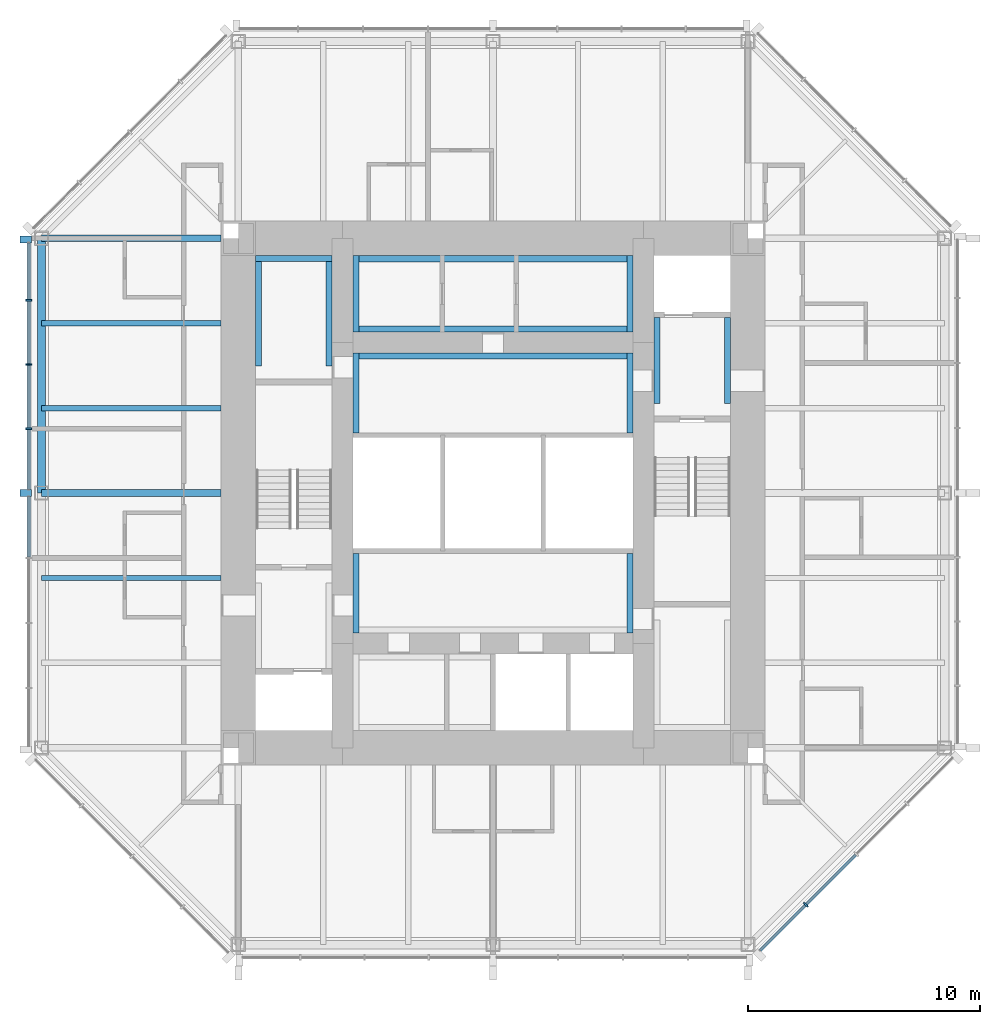
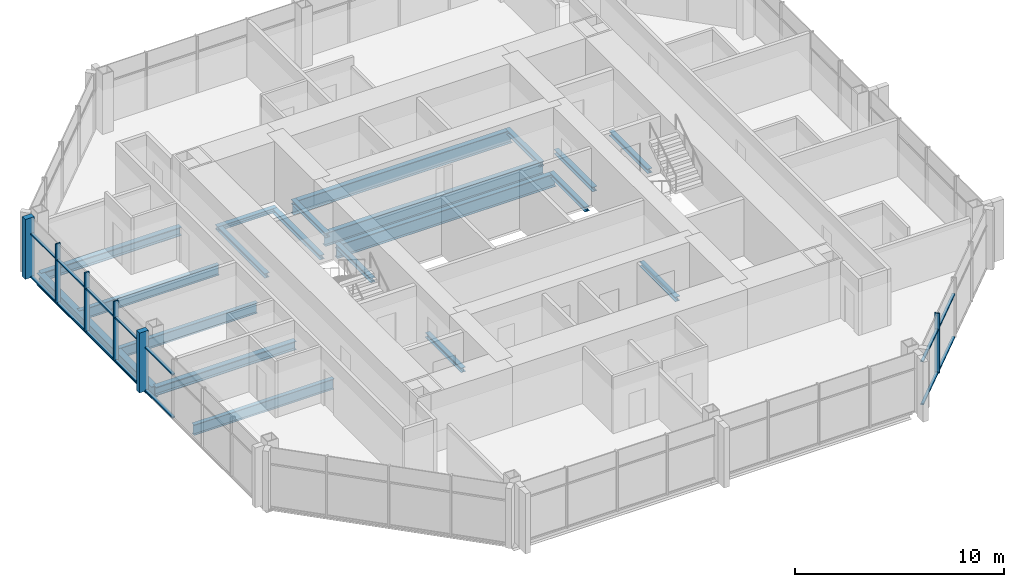
# One storey, part 3 of 11: 20 beams, 20 members, 2 elements without a shape of their own.
"""IFC4 building model written with IfcOpenShell, lengths in metres."""

import ifcopenshell
import ifcopenshell.guid

model = None  # the IFC model being written
_history = None  # IfcOwnerHistory: only IFC2X3 demands one
_inside = {}  # id of a spatial element -> (the spatial element, [elements in it])
_under = {}  # id of a project, library or spatial element -> (it, [spatial elements below it])
_declared = {}  # id of a project -> (the project, [libraries it declares])
_typed = {}  # id of a type object -> (the type object, [elements of that type])
_made_of = {}  # id of a material, layer set ... -> (it, [elements and type objects made of it])


def new_model(schema):
    """Start an empty IFC model of exactly this schema.

    Asked for "IFC4X3", IfcOpenShell would pick the latest addendum, in which some entities
    have other attributes; the version numbers below select the first issue.
    IFC2X3 requires an IfcOwnerHistory on every rooted entity: one is made here for all.
    """
    global model, _history
    if schema == "IFC4X3":
        model = ifcopenshell.file(schema_version=(4, 3, 0, 0))
    else:
        model = ifcopenshell.file(schema=schema)
    _inside.clear()
    _under.clear()
    _declared.clear()
    _typed.clear()
    _made_of.clear()
    _history = None
    if model.schema == "IFC2X3":
        org = make("IfcOrganization", Name="unknown")
        user = make(
            "IfcPersonAndOrganization",
            ThePerson=make("IfcPerson", FamilyName="unknown"),
            TheOrganization=org,
        )
        app = make(
            "IfcApplication",
            ApplicationDeveloper=org,
            Version="unknown",
            ApplicationFullName="unknown",
            ApplicationIdentifier="unknown",
        )
        _history = make(
            "IfcOwnerHistory",
            OwningUser=user,
            OwningApplication=app,
            ChangeAction="ADDED",
            CreationDate=0,
        )
    return model


def make(cls, **values):
    """One entity of the class cls with the attributes given. An attribute that is None is left unset."""
    return model.create_entity(
        cls, **{name: value for name, value in values.items() if value is not None}
    )


def rooted(cls, **values):
    """An entity with a GlobalId (a new one), such as an element, a storey or a relation."""
    return make(cls, GlobalId=ifcopenshell.guid.new(), OwnerHistory=_history, **values)


def si_unit(unit_type, name, prefix=None):
    """IfcSIUnit, for example si_unit("LENGTHUNIT", "METRE", prefix="MILLI")."""
    return make("IfcSIUnit", UnitType=unit_type, Prefix=prefix, Name=name)


def assignment(units):
    """IfcUnitAssignment: the units of a project."""
    return None if units is None else make("IfcUnitAssignment", Units=units)


def point(xyz):
    """IfcCartesianPoint."""
    return None if xyz is None else make("IfcCartesianPoint", Coordinates=xyz)


def direction(xyz):
    """IfcDirection."""
    return None if xyz is None else make("IfcDirection", DirectionRatios=xyz)


def frame(location, z_axis=None, x_axis=None):
    """IfcAxis2Placement3D, a coordinate frame: its origin and axes. An axis left out is left unset."""
    return make(
        "IfcAxis2Placement3D",
        Location=point(location),
        Axis=direction(z_axis),
        RefDirection=direction(x_axis),
    )


def frame_2d(location, x_axis=None):
    """IfcAxis2Placement2D, a coordinate frame in the plane: its origin and x axis."""
    return make(
        "IfcAxis2Placement2D", Location=point(location), RefDirection=direction(x_axis)
    )


def origin():
    """The frame at (0, 0, 0) with its axes left unset."""
    return frame((0.0, 0.0, 0.0))


def origin_2d():
    """The frame at (0, 0) in the plane with its x axis left unset."""
    return frame_2d((0.0, 0.0))


def place(relative_to, where):
    """IfcLocalPlacement: puts the frame where relative to a parent placement (None: the world)."""
    return make(
        "IfcLocalPlacement", PlacementRelTo=relative_to, RelativePlacement=where
    )


def context(
    kind, dimensions, precision=None, world=None, true_north=None, identifier=None
):
    """IfcGeometricRepresentationContext, for example the 3D "Model" context."""
    return make(
        "IfcGeometricRepresentationContext",
        ContextIdentifier=identifier,
        ContextType=kind,
        CoordinateSpaceDimension=dimensions,
        Precision=precision,
        WorldCoordinateSystem=world,
        TrueNorth=true_north,
    )


def subcontext(parent, identifier, kind, view, scale=None):
    """IfcGeometricRepresentationSubContext, for example "Body" below "Model"."""
    return make(
        "IfcGeometricRepresentationSubContext",
        ContextIdentifier=identifier,
        ContextType=kind,
        ParentContext=parent,
        TargetScale=scale,
        TargetView=view,
    )


def project(units=None, contexts=None):
    """IfcProject with its units and contexts."""
    return rooted(
        "IfcProject",
        Name="project",
        RepresentationContexts=contexts,
        UnitsInContext=assignment(units),
    )


def spatial(cls, under=None, at=None, **own):
    """A site, building, storey or space (cls), placed at a placement, below another one or the project."""
    s = rooted(cls, ObjectPlacement=at, **own)
    if under is not None:
        _under.setdefault(under.id(), (under, []))[1].append(s)
    return s


def profile(cls, at=None, kind="AREA", **sizes):
    """A parametric profile (cls). Its sizes go by their IFC names, for example OverallWidth=200.0."""
    return make(cls, ProfileType=kind, Position=at, **sizes)


def rectangle(**sizes):
    """IfcRectangleProfileDef."""
    return profile("IfcRectangleProfileDef", **sizes)


def i_section(**sizes):
    """IfcIShapeProfileDef."""
    return profile("IfcIShapeProfileDef", **sizes)


def extrude(swept, where, along, depth):
    """IfcExtrudedAreaSolid: the profile swept, set in the frame where, extruded along a direction by depth."""
    return make(
        "IfcExtrudedAreaSolid",
        SweptArea=swept,
        Position=where,
        ExtrudedDirection=direction(along),
        Depth=depth,
    )


def shape(context_of_items, identifier, shape_type, items):
    """IfcShapeRepresentation: the items that make up one representation, for example the "Body"."""
    return make(
        "IfcShapeRepresentation",
        ContextOfItems=context_of_items,
        RepresentationIdentifier=identifier,
        RepresentationType=shape_type,
        Items=items,
    )


def material(Name=None, Category=None):
    """IfcMaterial."""
    return make("IfcMaterial", Name=Name, Category=Category)


def material_profile(
    of_material, cross_section, Name=None, Category=None, Priority=None
):
    """IfcMaterialProfile: a cross section and its material."""
    return make(
        "IfcMaterialProfile",
        Name=Name,
        Material=of_material,
        Profile=cross_section,
        Priority=Priority,
        Category=Category,
    )


def profile_set(profiles, Name=None, composite=None):
    """IfcMaterialProfileSet."""
    return make(
        "IfcMaterialProfileSet",
        Name=Name,
        MaterialProfiles=profiles,
        CompositeProfile=composite,
    )


def made_of(thing, what):
    """Note that an element or type object is made of a material, layer set ...; save() writes the relation."""
    if what is not None:
        _made_of.setdefault(what.id(), (what, []))[1].append(thing)
    return thing


def type_object(cls, material=None, **own):
    """A type object (cls), such as IfcWallType, which elements share."""
    return made_of(rooted(cls, **own), material)


def element(
    cls,
    number,
    at=None,
    inside=None,
    cuts=None,
    type_object=None,
    material=None,
    context=None,
    identifier="Body",
    shape_type=None,
    held_by="IfcProductDefinitionShape",
    body=None,
    shapes=None,
    **own,
):
    """One element of the class cls, such as IfcWall. Its Tag is "e" and its number.

    at: its placement. inside: the storey or other place that contains it. cuts: it is an
    opening in that element (IfcRelVoidsElement). A single representation is given by context,
    identifier, shape_type and body (its items); several are given by shapes. held_by: the class
    of the entity that holds the representations. save() writes the other relations.
    """
    e = rooted(cls, Tag="e%d" % number, ObjectPlacement=at, **own)
    if body is not None:
        shapes = [shape(context, identifier, shape_type, body)]
    if shapes is not None:
        e.Representation = make(held_by, Representations=shapes)
    if inside is not None:
        _inside.setdefault(inside.id(), (inside, []))[1].append(e)
    if cuts is not None:
        rooted(
            "IfcRelVoidsElement", RelatingBuildingElement=cuts, RelatedOpeningElement=e
        )
    if type_object is not None:
        _typed.setdefault(type_object.id(), (type_object, []))[1].append(e)
    return made_of(e, material)


def aggregate(whole, parts):
    """IfcRelAggregates: a whole, such as a stair, and the parts it consists of."""
    return rooted("IfcRelAggregates", RelatingObject=whole, RelatedObjects=parts)


def save(model, path):
    """Write the relations noted so far, then the file.

    IfcRelAggregates (storeys below a building ...), IfcRelContainedInSpatialStructure (elements
    in a storey), IfcRelDefinesByType, IfcRelAssociatesMaterial and IfcRelDeclares: one each for
    every whole, place, type object, material and project.
    """
    for whole, parts in _under.values():
        aggregate(whole, parts)
    for where, things in _inside.values():
        rooted(
            "IfcRelContainedInSpatialStructure",
            RelatedElements=things,
            RelatingStructure=where,
        )
    for kind, things in _typed.values():
        rooted("IfcRelDefinesByType", RelatedObjects=things, RelatingType=kind)
    for what, things in _made_of.values():
        rooted("IfcRelAssociatesMaterial", RelatedObjects=things, RelatingMaterial=what)
    for by, libraries in _declared.values():
        rooted("IfcRelDeclares", RelatingContext=by, RelatedDefinitions=libraries)
    model.write(path)


model = new_model("IFC4")

# Units and contexts
model_context = context("Model", 3, precision=1e-05, world=origin(), true_north=direction((0.0, 1.0)))
body_context = subcontext(model_context, "Body", "Model", "MODEL_VIEW")
ifc_project = project(units=[si_unit("LENGTHUNIT", "METRE"), si_unit("AREAUNIT", "SQUARE_METRE"), si_unit("VOLUMEUNIT", "CUBIC_METRE"), si_unit("PLANEANGLEUNIT", "RADIAN"), si_unit("MASSUNIT", "GRAM", prefix="KILO")], contexts=[model_context])

# Site, building, storey
site_placement = place(None, origin())
site = spatial("IfcSite", under=ifc_project, at=site_placement, CompositionType="ELEMENT")
building_placement = place(site_placement, origin())
building = spatial("IfcBuilding", under=site, at=building_placement, Name="Trevanion Tower", CompositionType="ELEMENT")
storey_placement = place(building_placement, frame((0.0, 0.0, 236.199951171875)))
storey = spatial("IfcBuildingStorey", under=building, at=storey_placement, Name="L57", CompositionType="ELEMENT", Elevation=236.199951171875)

# Beams
ifc_material_1 = material(Name="Steel ASTM A992 Grade 50", Category="steel")
ifc_material_profile_1 = material_profile(ifc_material_1, i_section(OverallWidth=0.228271484375, OverallDepth=0.607177734375, WebThickness=0.01123046875, FlangeThickness=0.017333984375, at=origin_2d()), Name="W24X76")
ifc_profile_set_1 = profile_set([ifc_material_profile_1], Name="Steel ASTM A992 Grade 50")
beam_type_1 = type_object("IfcBeamType", Name="B11 W24X76", PredefinedType="BEAM", material=ifc_profile_set_1)
for number, where, z_axis, x_axis, name in (
    (1, (-11.75, 7.333251953125, -0.493408203125), (-1.0, 0.0, 0.0), (0.0, -1.0, 0.0), "B11 L57"),
    (2, (-11.75, 3.666748046875, -0.493408203125), (-1.0, 0.0, 0.0), (0.0, -1.0, 0.0), "B11 L57"),
    (3, (-11.75, -3.666748046875, -0.493408203125), (-1.0, 0.0, 0.0), (0.0, -1.0, 0.0), "B11 L57"),
):
    element("IfcBeam", number, at=place(storey_placement, frame(where, z_axis=z_axis, x_axis=x_axis)), inside=storey, type_object=beam_type_1, Name=name, PredefinedType="BEAM", context=body_context, shape_type="SweptSolid", body=[
        extrude(i_section(OverallWidth=0.228271484375, OverallDepth=0.607177734375, WebThickness=0.01123046875, FlangeThickness=0.017333984375, at=origin_2d()), origin(), (0.0, 0.0, 1.0), 7.75),
    ])

# Curtain wall, members
ifc_material_2 = material(Name="Aluminium and glass", Category="aluminium")
curtain_wall_type = type_object("IfcCurtainWallType", Name="CW3 curtain wall", PredefinedType="USERDEFINED", material=ifc_material_2)
curtain_wall_1_placement = place(storey_placement, origin())
curtain_wall_1 = element("IfcCurtainWall", 4, at=curtain_wall_1_placement, inside=storey, type_object=curtain_wall_type, Name="CW3 L57 4", ObjectType="UNITISED CURTAIN WALL", PredefinedType="USERDEFINED")
ifc_material_3 = material(Name="Aluminium extrusion, anodised bronze", Category="aluminium")
ifc_material_profile_2 = material_profile(ifc_material_3, rectangle(XDim=0.074951171875, YDim=0.25, at=origin_2d()), Name="CW3 mullion")
ifc_profile_set_2 = profile_set([ifc_material_profile_2], Name="Aluminium extrusion, anodised bronze")
member_type_1 = type_object("IfcMemberType", Name="CW3 mullion", PredefinedType="MULLION", material=ifc_profile_set_2)
member_1_placement = place(storey_placement, frame((-20.050048828125, 8.323486328125, -0.18994140625), z_axis=(0.0, 0.0, 1.0), x_axis=(0.0, -1.0, 0.0)))
member_1 = element("IfcMember", 5, at=member_1_placement, type_object=member_type_1, Name="CW3 mullion 2", PredefinedType="MULLION", context=body_context, shape_type="SweptSolid", body=[
    extrude(rectangle(XDim=0.074951171875, YDim=0.25, at=origin_2d()), origin(), (0.0, 0.0, 1.0), 3.5),
])
member_2_placement = place(storey_placement, frame((-20.050048828125, 5.548828125, -0.18994140625), z_axis=(0.0, 0.0, 1.0), x_axis=(0.0, -1.0, 0.0)))
member_2 = element("IfcMember", 6, at=member_2_placement, type_object=member_type_1, Name="CW3 mullion 3", PredefinedType="MULLION", context=body_context, shape_type="SweptSolid", body=[
    extrude(rectangle(XDim=0.074951171875, YDim=0.25, at=origin_2d()), origin(), (0.0, 0.0, 1.0), 3.5),
])
member_3_placement = place(storey_placement, frame((-20.050048828125, 2.7744140625, -0.18994140625), z_axis=(0.0, 0.0, 1.0), x_axis=(0.0, -1.0, 0.0)))
member_3 = element("IfcMember", 7, at=member_3_placement, type_object=member_type_1, Name="CW3 mullion 4", PredefinedType="MULLION", context=body_context, shape_type="SweptSolid", body=[
    extrude(rectangle(XDim=0.074951171875, YDim=0.25, at=origin_2d()), origin(), (0.0, 0.0, 1.0), 3.5),
])

# Curtain wall, member
curtain_wall_2_placement = place(storey_placement, origin())
curtain_wall_2 = element("IfcCurtainWall", 8, at=curtain_wall_2_placement, inside=storey, type_object=curtain_wall_type, Name="CW3 L57 7", ObjectType="UNITISED CURTAIN WALL", PredefinedType="USERDEFINED")
member_4_placement = place(storey_placement, frame((13.502197265625, -17.775390625, -0.18994140625), z_axis=(0.0, 0.0, 1.0), x_axis=(0.707106781187, 0.707106781187, 0.0)))
member_4 = element("IfcMember", 9, at=member_4_placement, type_object=member_type_1, Name="CW3 mullion 2", PredefinedType="MULLION", context=body_context, shape_type="SweptSolid", body=[
    extrude(rectangle(XDim=0.074951171875, YDim=0.25, at=origin_2d()), origin(), (0.0, 0.0, 1.0), 3.5),
])

# Member
ifc_material_4 = material(Name="Aluminium extrusion, anodised bronze", Category="aluminium")
ifc_material_profile_3 = material_profile(ifc_material_4, rectangle(XDim=0.300048828125, YDim=0.5, at=origin_2d()), Name="CW3 pier mullion")
ifc_profile_set_3 = profile_set([ifc_material_profile_3], Name="Aluminium extrusion, anodised bronze")
member_type_2 = type_object("IfcMemberType", Name="CW3 pier mullion", PredefinedType="MULLION", material=ifc_profile_set_3)
member_5_placement = place(storey_placement, frame((-20.175048828125, 10.94775390625, -0.18994140625), z_axis=(0.0, 0.0, 1.0), x_axis=(0.0, -1.0, 0.0)))
member_5 = element("IfcMember", 10, at=member_5_placement, type_object=member_type_2, Name="CW3 pier mullion 1", PredefinedType="MULLION", context=body_context, shape_type="SweptSolid", body=[
    extrude(rectangle(XDim=0.300048828125, YDim=0.5, at=origin_2d()), origin(), (0.0, 0.0, 1.0), 3.5),
])

member_6_placement = place(storey_placement, frame((-20.175048828125, 0.0, -0.18994140625), z_axis=(0.0, 0.0, 1.0), x_axis=(0.0, -1.0, 0.0)))
member_6 = element("IfcMember", 11, at=member_6_placement, type_object=member_type_2, Name="CW3 pier mullion 5", PredefinedType="MULLION", context=body_context, shape_type="SweptSolid", body=[
    extrude(rectangle(XDim=0.300048828125, YDim=0.5, at=origin_2d()), origin(), (0.0, 0.0, 1.0), 3.5),
])

ifc_material_5 = material(Name="Aluminium extrusion, anodised bronze", Category="aluminium")
ifc_material_profile_4 = material_profile(ifc_material_5, rectangle(XDim=0.14990234375, YDim=0.074951171875, at=origin_2d()), Name="CW3 transom")
ifc_profile_set_4 = profile_set([ifc_material_profile_4], Name="Aluminium extrusion, anodised bronze")
member_type_3 = type_object("IfcMemberType", Name="CW3 transom", PredefinedType="USERDEFINED", material=ifc_profile_set_4)
member_7_placement = place(storey_placement, frame((-20.050048828125, 10.7978515625, -0.15234375), z_axis=(0.0, -1.0, 0.0), x_axis=(1.0, 0.0, 0.0)))
member_7 = element("IfcMember", 12, at=member_7_placement, type_object=member_type_3, Name="CW3 transom 1.1", ObjectType="TRANSOM", PredefinedType="USERDEFINED", context=body_context, shape_type="SweptSolid", body=[
    extrude(rectangle(XDim=0.14990234375, YDim=0.074951171875, at=origin_2d()), origin(), (0.0, 0.0, 1.0), 2.43701171875),
])

member_8_placement = place(storey_placement, frame((-20.050048828125, 10.7978515625, 2.360107421875), z_axis=(0.0, -1.0, 0.0), x_axis=(1.0, 0.0, 0.0)))
member_8 = element("IfcMember", 13, at=member_8_placement, type_object=member_type_3, Name="CW3 transom 1.2", ObjectType="TRANSOM", PredefinedType="USERDEFINED", context=body_context, shape_type="SweptSolid", body=[
    extrude(rectangle(XDim=0.14990234375, YDim=0.074951171875, at=origin_2d()), origin(), (0.0, 0.0, 1.0), 2.43701171875),
])

member_9_placement = place(storey_placement, frame((-20.050048828125, 8.285888671875, -0.15234375), z_axis=(0.0, -1.0, 0.0), x_axis=(1.0, 0.0, 0.0)))
member_9 = element("IfcMember", 14, at=member_9_placement, type_object=member_type_3, Name="CW3 transom 2.1", ObjectType="TRANSOM", PredefinedType="USERDEFINED", context=body_context, shape_type="SweptSolid", body=[
    extrude(rectangle(XDim=0.14990234375, YDim=0.074951171875, at=origin_2d()), origin(), (0.0, 0.0, 1.0), 2.699462890625),
])

member_10_placement = place(storey_placement, frame((-20.050048828125, 8.285888671875, 2.360107421875), z_axis=(0.0, -1.0, 0.0), x_axis=(1.0, 0.0, 0.0)))
member_10 = element("IfcMember", 15, at=member_10_placement, type_object=member_type_3, Name="CW3 transom 2.2", ObjectType="TRANSOM", PredefinedType="USERDEFINED", context=body_context, shape_type="SweptSolid", body=[
    extrude(rectangle(XDim=0.14990234375, YDim=0.074951171875, at=origin_2d()), origin(), (0.0, 0.0, 1.0), 2.699462890625),
])

member_11_placement = place(storey_placement, frame((-20.050048828125, 5.511474609375, -0.15234375), z_axis=(0.0, -1.0, 0.0), x_axis=(1.0, 0.0, 0.0)))
member_11 = element("IfcMember", 16, at=member_11_placement, type_object=member_type_3, Name="CW3 transom 3.1", ObjectType="TRANSOM", PredefinedType="USERDEFINED", context=body_context, shape_type="SweptSolid", body=[
    extrude(rectangle(XDim=0.14990234375, YDim=0.074951171875, at=origin_2d()), origin(), (0.0, 0.0, 1.0), 2.699462890625),
])

member_12_placement = place(storey_placement, frame((-20.050048828125, 5.511474609375, 2.360107421875), z_axis=(0.0, -1.0, 0.0), x_axis=(1.0, 0.0, 0.0)))
member_12 = element("IfcMember", 17, at=member_12_placement, type_object=member_type_3, Name="CW3 transom 3.2", ObjectType="TRANSOM", PredefinedType="USERDEFINED", context=body_context, shape_type="SweptSolid", body=[
    extrude(rectangle(XDim=0.14990234375, YDim=0.074951171875, at=origin_2d()), origin(), (0.0, 0.0, 1.0), 2.699462890625),
])

member_13_placement = place(storey_placement, frame((-20.050048828125, 2.737060546875, -0.15234375), z_axis=(0.0, -1.0, 0.0), x_axis=(1.0, 0.0, 0.0)))
member_13 = element("IfcMember", 18, at=member_13_placement, type_object=member_type_3, Name="CW3 transom 4.1", ObjectType="TRANSOM", PredefinedType="USERDEFINED", context=body_context, shape_type="SweptSolid", body=[
    extrude(rectangle(XDim=0.14990234375, YDim=0.074951171875, at=origin_2d()), origin(), (0.0, 0.0, 1.0), 2.587158203125),
])

member_14_placement = place(storey_placement, frame((-20.050048828125, 2.737060546875, 2.360107421875), z_axis=(0.0, -1.0, 0.0), x_axis=(1.0, 0.0, 0.0)))
member_14 = element("IfcMember", 19, at=member_14_placement, type_object=member_type_3, Name="CW3 transom 4.2", ObjectType="TRANSOM", PredefinedType="USERDEFINED", context=body_context, shape_type="SweptSolid", body=[
    extrude(rectangle(XDim=0.14990234375, YDim=0.074951171875, at=origin_2d()), origin(), (0.0, 0.0, 1.0), 2.587158203125),
])

member_15_placement = place(storey_placement, frame((-20.050048828125, -0.14990234375, -0.15234375), z_axis=(0.0, -1.0, 0.0), x_axis=(1.0, 0.0, 0.0)))
member_15 = element("IfcMember", 20, at=member_15_placement, type_object=member_type_3, Name="CW3 transom 5.1", ObjectType="TRANSOM", PredefinedType="USERDEFINED", context=body_context, shape_type="SweptSolid", body=[
    extrude(rectangle(XDim=0.14990234375, YDim=0.074951171875, at=origin_2d()), origin(), (0.0, 0.0, 1.0), 2.619384765625),
])

member_16_placement = place(storey_placement, frame((-20.050048828125, -0.14990234375, 2.360107421875), z_axis=(0.0, -1.0, 0.0), x_axis=(1.0, 0.0, 0.0)))
member_16 = element("IfcMember", 21, at=member_16_placement, type_object=member_type_3, Name="CW3 transom 5.2", ObjectType="TRANSOM", PredefinedType="USERDEFINED", context=body_context, shape_type="SweptSolid", body=[
    extrude(rectangle(XDim=0.14990234375, YDim=0.074951171875, at=origin_2d()), origin(), (0.0, 0.0, 1.0), 2.619384765625),
])

aggregate(curtain_wall_1, [member_5, member_1, member_2, member_3, member_6, member_7, member_8, member_9, member_10, member_11, member_12, member_13, member_14, member_15, member_16])

member_17_placement = place(storey_placement, frame((11.531982421875, -19.745849609375, -0.15234375), z_axis=(0.707106781187, 0.707106781187, 0.0), x_axis=(-0.707106781187, 0.707106781187, 0.0)))
member_17 = element("IfcMember", 22, at=member_17_placement, type_object=member_type_3, Name="CW3 transom 1.1", ObjectType="TRANSOM", PredefinedType="USERDEFINED", context=body_context, shape_type="SweptSolid", body=[
    extrude(rectangle(XDim=0.14990234375, YDim=0.074951171875, at=origin_2d()), origin(), (0.0, 0.0, 1.0), 2.7490234375),
])

member_18_placement = place(storey_placement, frame((11.531982421875, -19.745849609375, 2.360107421875), z_axis=(0.707106781187, 0.707106781187, 0.0), x_axis=(-0.707106781187, 0.707106781187, 0.0)))
member_18 = element("IfcMember", 23, at=member_18_placement, type_object=member_type_3, Name="CW3 transom 1.2", ObjectType="TRANSOM", PredefinedType="USERDEFINED", context=body_context, shape_type="SweptSolid", body=[
    extrude(rectangle(XDim=0.14990234375, YDim=0.074951171875, at=origin_2d()), origin(), (0.0, 0.0, 1.0), 2.7490234375),
])

member_19_placement = place(storey_placement, frame((13.52880859375, -17.7490234375, -0.15234375), z_axis=(0.707106781187, 0.707106781187, 0.0), x_axis=(-0.707106781187, 0.707106781187, 0.0)))
member_19 = element("IfcMember", 24, at=member_19_placement, type_object=member_type_3, Name="CW3 transom 2.1", ObjectType="TRANSOM", PredefinedType="USERDEFINED", context=body_context, shape_type="SweptSolid", body=[
    extrude(rectangle(XDim=0.14990234375, YDim=0.074951171875, at=origin_2d()), origin(), (0.0, 0.0, 1.0), 3.01171875),
])

member_20_placement = place(storey_placement, frame((13.52880859375, -17.7490234375, 2.360107421875), z_axis=(0.707106781187, 0.707106781187, 0.0), x_axis=(-0.707106781187, 0.707106781187, 0.0)))
member_20 = element("IfcMember", 25, at=member_20_placement, type_object=member_type_3, Name="CW3 transom 2.2", ObjectType="TRANSOM", PredefinedType="USERDEFINED", context=body_context, shape_type="SweptSolid", body=[
    extrude(rectangle(XDim=0.14990234375, YDim=0.074951171875, at=origin_2d()), origin(), (0.0, 0.0, 1.0), 3.01171875),
])

aggregate(curtain_wall_2, [member_4, member_17, member_18, member_19, member_20])

# Beams
ifc_material_6 = material(Name="Steel ASTM A992 Grade 50", Category="steel")
ifc_material_profile_5 = material_profile(ifc_material_6, i_section(OverallWidth=0.28955078125, OverallDepth=0.508056640625, WebThickness=0.022705078125, FlangeThickness=0.040283203125, at=origin_2d()), Name="W18X175")
ifc_profile_set_5 = profile_set([ifc_material_profile_5], Name="Steel ASTM A992 Grade 50")
beam_type_2 = type_object("IfcBeamType", Name="G6 W18X175", PredefinedType="BEAM", material=ifc_profile_set_5)
for number, where, z_axis, x_axis, name in (
    (26, (-11.75, 11.0, -0.44384765625), (-1.0, 0.0, 0.0), (0.0, -1.0, 0.0), "G6 L57"),
    (27, (-11.75, 0.0, -0.44384765625), (-1.0, 0.0, 0.0), (0.0, -1.0, 0.0), "G6 L57"),
):
    element("IfcBeam", number, at=place(storey_placement, frame(where, z_axis=z_axis, x_axis=x_axis)), inside=storey, type_object=beam_type_2, Name=name, PredefinedType="BEAM", context=body_context, shape_type="SweptSolid", body=[
        extrude(i_section(OverallWidth=0.28955078125, OverallDepth=0.508056640625, WebThickness=0.022705078125, FlangeThickness=0.040283203125, at=origin_2d()), origin(), (0.0, 0.0, 1.0), 7.75),
    ])
ifc_material_7 = material(Name="Steel ASTM A992 Grade 50", Category="steel")
ifc_material_profile_6 = material_profile(ifc_material_7, i_section(OverallWidth=0.256591796875, OverallDepth=0.26416015625, WebThickness=0.011962890625, FlangeThickness=0.01953125, at=origin_2d()), Name="W10X68")
ifc_profile_set_6 = profile_set([ifc_material_profile_6], Name="Steel ASTM A992 Grade 50")
beam_type_3 = type_object("IfcBeamType", Name="LB1 W10X68", PredefinedType="BEAM", material=ifc_profile_set_6)
for number, where, z_axis, x_axis, name in (
    (28, (-5.921630859375, 2.60009765625, -0.33203125), (0.0, 1.0, 0.0), (-1.0, 0.0, 0.0), "LB1 L57"),
    (29, (5.921630859375, 2.60009765625, -0.33203125), (0.0, 1.0, 0.0), (-1.0, 0.0, 0.0), "LB1 L57"),
    (30, (-5.921630859375, -6.050048828125, -0.33203125), (0.0, 1.0, 0.0), (-1.0, 0.0, 0.0), "LB1 L57"),
    (31, (5.921630859375, -6.050048828125, -0.33203125), (0.0, 1.0, 0.0), (-1.0, 0.0, 0.0), "LB1 L57"),
):
    element("IfcBeam", number, at=place(storey_placement, frame(where, z_axis=z_axis, x_axis=x_axis)), inside=storey, type_object=beam_type_3, Name=name, PredefinedType="BEAM", context=body_context, shape_type="SweptSolid", body=[
        extrude(i_section(OverallWidth=0.256591796875, OverallDepth=0.26416015625, WebThickness=0.011962890625, FlangeThickness=0.01953125, at=origin_2d()), origin(), (0.0, 0.0, 1.0), 3.449951171875),
    ])
for number, where, z_axis, x_axis, name in (
    (32, (7.078369140625, 3.875, -0.33203125), (0.0, 1.0, 0.0), (-1.0, 0.0, 0.0), "LB1 L57"),
    (33, (10.12158203125, 3.875, -0.33203125), (0.0, 1.0, 0.0), (-1.0, 0.0, 0.0), "LB1 L57"),
):
    element("IfcBeam", number, at=place(storey_placement, frame(where, z_axis=z_axis, x_axis=x_axis)), inside=storey, type_object=beam_type_3, Name=name, PredefinedType="BEAM", context=body_context, shape_type="SweptSolid", body=[
        extrude(i_section(OverallWidth=0.256591796875, OverallDepth=0.26416015625, WebThickness=0.011962890625, FlangeThickness=0.01953125, at=origin_2d()), origin(), (0.0, 0.0, 1.0), 3.699951171875),
    ])
for number, where, z_axis, x_axis, name in (
    (34, (-10.12158203125, 5.47509765625, -0.33203125), (0.0, 1.0, 0.0), (-1.0, 0.0, 0.0), "LB1 L57"),
    (35, (-7.078369140625, 5.47509765625, -0.33203125), (0.0, 1.0, 0.0), (-1.0, 0.0, 0.0), "LB1 L57"),
):
    element("IfcBeam", number, at=place(storey_placement, frame(where, z_axis=z_axis, x_axis=x_axis)), inside=storey, type_object=beam_type_3, Name=name, PredefinedType="BEAM", context=body_context, shape_type="SweptSolid", body=[
        extrude(i_section(OverallWidth=0.256591796875, OverallDepth=0.26416015625, WebThickness=0.011962890625, FlangeThickness=0.01953125, at=origin_2d()), origin(), (0.0, 0.0, 1.0), 4.77490234375),
    ])
for number, where, z_axis, x_axis, name in (
    (36, (-10.25, 10.12158203125, -0.33203125), (1.0, 0.0, 0.0), (0.0, 1.0, 0.0), "LB1 L57"),
    (37, (-5.921630859375, 6.949951171875, -0.33203125), (0.0, 1.0, 0.0), (-1.0, 0.0, 0.0), "LB1 L57"),
    (38, (5.921630859375, 6.949951171875, -0.33203125), (0.0, 1.0, 0.0), (-1.0, 0.0, 0.0), "LB1 L57"),
):
    element("IfcBeam", number, at=place(storey_placement, frame(where, z_axis=z_axis, x_axis=x_axis)), inside=storey, type_object=beam_type_3, Name=name, PredefinedType="BEAM", context=body_context, shape_type="SweptSolid", body=[
        extrude(i_section(OverallWidth=0.256591796875, OverallDepth=0.26416015625, WebThickness=0.011962890625, FlangeThickness=0.01953125, at=origin_2d()), origin(), (0.0, 0.0, 1.0), 3.300048828125),
    ])
ifc_material_8 = material(Name="Steel ASTM A992 Grade 50", Category="steel")
ifc_material_profile_7 = material_profile(ifc_material_8, i_section(OverallWidth=0.2666015625, OverallDepth=0.76953125, WebThickness=0.015625, FlangeThickness=0.025390625, at=origin_2d()), Name="W30X132")
ifc_profile_set_7 = profile_set([ifc_material_profile_7], Name="Steel ASTM A992 Grade 50")
beam_type_4 = type_object("IfcBeamType", Name="LB3 W30X132", PredefinedType="BEAM", material=ifc_profile_set_7)
for number, where, z_axis, x_axis, name in (
    (39, (-6.050048828125, 5.91650390625, -0.584716796875), (1.0, 0.0, 0.0), (0.0, 1.0, 0.0), "LB3 L57"),
    (40, (-6.050048828125, 7.08349609375, -0.584716796875), (1.0, 0.0, 0.0), (0.0, 1.0, 0.0), "LB3 L57"),
    (41, (-6.050048828125, 10.11669921875, -0.584716796875), (1.0, 0.0, 0.0), (0.0, 1.0, 0.0), "LB3 L57"),
):
    element("IfcBeam", number, at=place(storey_placement, frame(where, z_axis=z_axis, x_axis=x_axis)), inside=storey, type_object=beam_type_4, Name=name, PredefinedType="BEAM", context=body_context, shape_type="SweptSolid", body=[
        extrude(i_section(OverallWidth=0.2666015625, OverallDepth=0.76953125, WebThickness=0.015625, FlangeThickness=0.025390625, at=origin_2d()), origin(), (0.0, 0.0, 1.0), 12.10009765625),
    ])
ifc_material_9 = material(Name="Steel ASTM A992 Grade 50", Category="steel")
ifc_material_profile_8 = material_profile(ifc_material_9, i_section(OverallWidth=0.355712890625, OverallDepth=0.696044921875, WebThickness=0.015380859375, FlangeThickness=0.024658203125, at=origin_2d()), Name="W27X146")
ifc_profile_set_8 = profile_set([ifc_material_profile_8], Name="Steel ASTM A992 Grade 50")
beam_type_5 = type_object("IfcBeamType", Name="SB8 W27X146", PredefinedType="SPANDREL", material=ifc_profile_set_8)
beam_placement = place(storey_placement, frame((-19.5, 11.0, -0.537841796875), z_axis=(0.0, -1.0, 0.0), x_axis=(1.0, 0.0, 0.0)))
element("IfcBeam", 42, at=beam_placement, inside=storey, type_object=beam_type_5, Name="SB8 L57", PredefinedType="SPANDREL", context=body_context, shape_type="SweptSolid", body=[
    extrude(i_section(OverallWidth=0.355712890625, OverallDepth=0.696044921875, WebThickness=0.015380859375, FlangeThickness=0.024658203125, at=origin_2d()), origin(), (0.0, 0.0, 1.0), 11.0),
])

save(model, "model.ifc")
